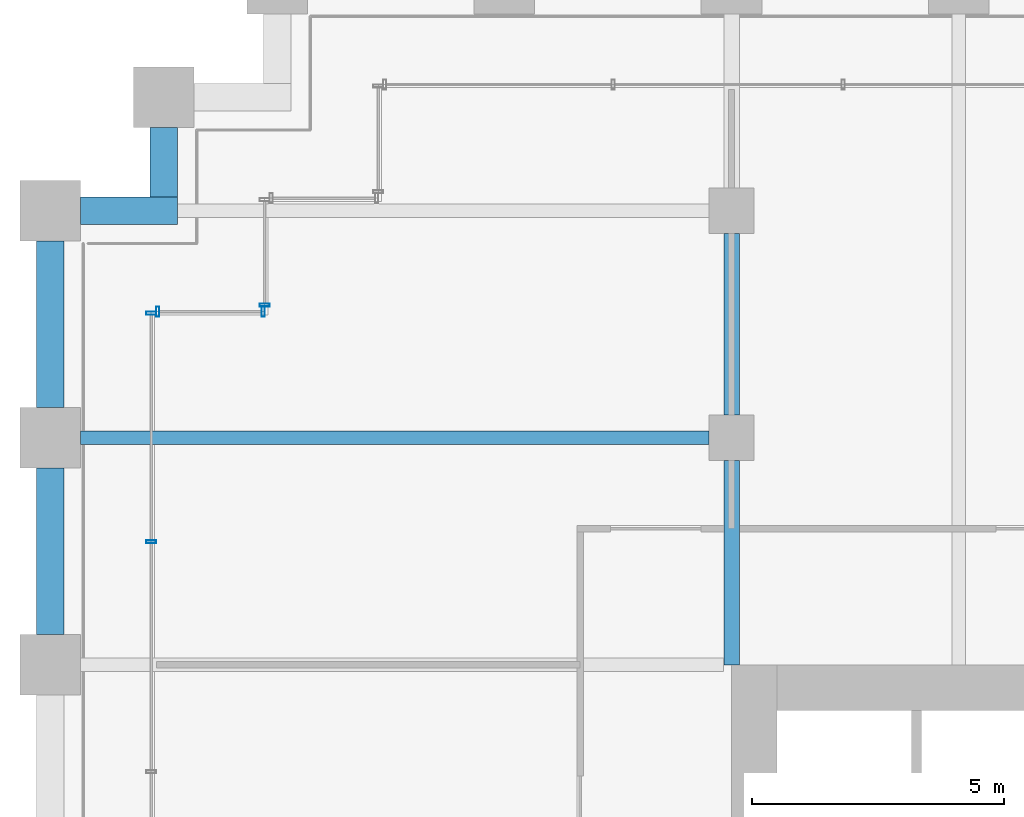
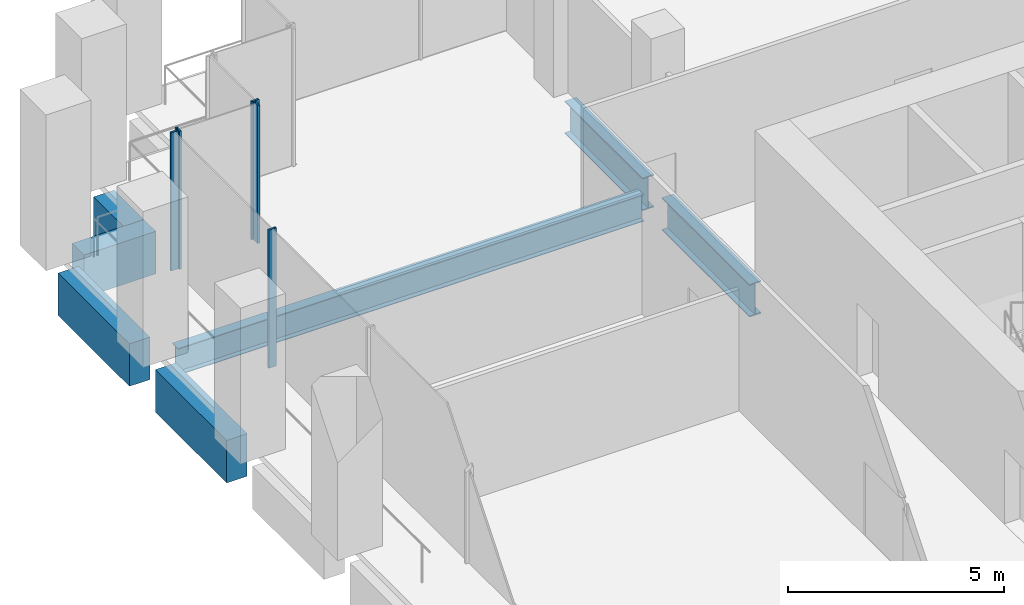
# One storey, part 13 of 36: 7 beams, 5 members, 3 elements without a shape of their own.
"""IFC4 building model written with IfcOpenShell, lengths in metres."""

from ifc_helpers import new_model, si_unit, direction, frame, origin, origin_2d, place, context, subcontext, project, spatial, rectangle, hollow_rectangle, i_section, extrude, material, material_profile, profile_set, type_object, element, aggregate, save


model = new_model("IFC4")

# Units and contexts
model_context = context("Model", 3, precision=1e-05, world=origin(), true_north=direction((0.0, 1.0)))
body_context = subcontext(model_context, "Body", "Model", "MODEL_VIEW")
ifc_project = project(units=[si_unit("LENGTHUNIT", "METRE"), si_unit("AREAUNIT", "SQUARE_METRE"), si_unit("VOLUMEUNIT", "CUBIC_METRE"), si_unit("PLANEANGLEUNIT", "RADIAN"), si_unit("MASSUNIT", "GRAM", prefix="KILO")], contexts=[model_context])

# Site, building, storey
site_placement = place(None, origin())
site = spatial("IfcSite", under=ifc_project, at=site_placement, CompositionType="ELEMENT")
building_placement = place(site_placement, origin())
building = spatial("IfcBuilding", under=site, at=building_placement, Name="Altepetl Exchange Towers", CompositionType="ELEMENT")
storey_placement = place(building_placement, frame((0.0, 0.0, 25.39990234375)))
storey = spatial("IfcBuildingStorey", under=building, at=storey_placement, Name="L05", CompositionType="ELEMENT", Elevation=25.39990234375)

# Beams
ifc_material_1 = material(Name="Steel S355", Category="steel")
ifc_material_profile_1 = material_profile(ifc_material_1, i_section(OverallWidth=0.26611328125, OverallDepth=0.758056640625, WebThickness=0.013916015625, FlangeThickness=0.019287109375, at=origin_2d()), Name="W30X108")
ifc_profile_set_1 = profile_set([ifc_material_profile_1], Name="Steel S355")
beam_type_1 = type_object("IfcBeamType", Name="Floor beam W30X108", PredefinedType="BEAM", material=ifc_profile_set_1)
beam_1_placement = place(storey_placement, frame((27.60009765625, 63.0, -0.553955078125), z_axis=(1.0, 0.0, 0.0), x_axis=(0.0, 1.0, 0.0)))
element("IfcBeam", 1, at=beam_1_placement, inside=storey, type_object=beam_type_1, Name="bm:A:L05:022", PredefinedType="BEAM", context=body_context, shape_type="SweptSolid", body=[
    extrude(i_section(OverallWidth=0.26611328125, OverallDepth=0.758056640625, WebThickness=0.013916015625, FlangeThickness=0.019287109375, at=origin_2d()), origin(), (0.0, 0.0, 1.0), 12.449951171875),
])
ifc_material_profile_2 = material_profile(ifc_material_1, i_section(OverallWidth=0.306884765625, OverallDepth=0.923095703125, WebThickness=0.018310546875, FlangeThickness=0.030029296875, at=origin_2d()), Name="W36X182")
ifc_profile_set_2 = profile_set([ifc_material_profile_2], Name="Steel S355")
beam_type_2 = type_object("IfcBeamType", Name="Girder W36X182", PredefinedType="BEAM", material=ifc_profile_set_2)
beam_2_placement = place(storey_placement, frame((40.5, 67.050048828125, -0.636474609375), z_axis=(0.0, -1.0, 0.0), x_axis=(1.0, 0.0, 0.0)))
element("IfcBeam", 2, at=beam_2_placement, inside=storey, type_object=beam_type_2, Name="gd:A:L05:004", PredefinedType="BEAM", context=body_context, shape_type="SweptSolid", body=[
    extrude(i_section(OverallWidth=0.306884765625, OverallDepth=0.923095703125, WebThickness=0.018310546875, FlangeThickness=0.030029296875, at=origin_2d()), origin(), (0.0, 0.0, 1.0), 3.60009765625),
])
beam_3_placement = place(storey_placement, frame((40.5, 62.550048828125, -0.636474609375), z_axis=(0.0, -1.0, 0.0), x_axis=(1.0, 0.0, 0.0)))
element("IfcBeam", 3, at=beam_3_placement, inside=storey, type_object=beam_type_2, Name="gd:A:L05:005", PredefinedType="BEAM", context=body_context, shape_type="SweptSolid", body=[
    extrude(i_section(OverallWidth=0.306884765625, OverallDepth=0.923095703125, WebThickness=0.018310546875, FlangeThickness=0.030029296875, at=origin_2d()), origin(), (0.0, 0.0, 1.0), 4.050048828125),
])

# Curtain wall, members
ifc_material_2 = material(Name="Aluminium 6063-T6 glazing", Category="aluminium")
curtain_wall_type = type_object("IfcCurtainWallType", Name="Trading floor glazing system", PredefinedType="NOTDEFINED", material=ifc_material_2)
curtain_wall_1_placement = place(storey_placement, origin())
curtain_wall_1 = element("IfcCurtainWall", 4, at=curtain_wall_1_placement, inside=storey, type_object=curtain_wall_type, Name="CW2 run", PredefinedType="NOTDEFINED")
ifc_material_3 = material(Name="Aluminium 6063-T6", Category="aluminium")
ifc_material_profile_3 = material_profile(ifc_material_3, hollow_rectangle(XDim=0.06005859375, YDim=0.199951171875, WallThickness=0.0029296875, at=origin_2d()), Name="Mullion 60x200 aluminium")
ifc_profile_set_3 = profile_set([ifc_material_profile_3], Name="Aluminium 6063-T6")
member_type = type_object("IfcMemberType", Name="Mullion 60x200 aluminium", PredefinedType="MULLION", material=ifc_profile_set_3)
member_1_placement = place(storey_placement, frame((31.219970703125, 65.5, 0.0), z_axis=(0.0, 0.0, 1.0), x_axis=(-1.0, 0.0, 0.0)))
member_1 = element("IfcMember", 5, at=member_1_placement, type_object=member_type, Name="MU2 mullion", PredefinedType="MULLION", context=body_context, shape_type="SweptSolid", body=[
    extrude(hollow_rectangle(XDim=0.06005859375, YDim=0.199951171875, WallThickness=0.0029296875, at=origin_2d()), origin(), (0.0, 0.0, 1.0), 3.900146484375),
])
member_2_placement = place(storey_placement, frame((29.1298828125, 65.5, 0.0), z_axis=(0.0, 0.0, 1.0), x_axis=(-1.0, 0.0, 0.0)))
member_2 = element("IfcMember", 6, at=member_2_placement, type_object=member_type, Name="MU2 mullion", PredefinedType="MULLION", context=body_context, shape_type="SweptSolid", body=[
    extrude(hollow_rectangle(XDim=0.06005859375, YDim=0.199951171875, WallThickness=0.0029296875, at=origin_2d()), origin(), (0.0, 0.0, 1.0), 3.900146484375),
])
aggregate(curtain_wall_1, [member_1, member_2])

curtain_wall_2_placement = place(storey_placement, origin())
curtain_wall_2 = element("IfcCurtainWall", 7, at=curtain_wall_2_placement, inside=storey, type_object=curtain_wall_type, Name="CW2 run", PredefinedType="NOTDEFINED")
member_3_placement = place(storey_placement, frame((29.0, 65.469970703125, 0.0), z_axis=(0.0, 0.0, 1.0), x_axis=(0.0, -1.0, 0.0)))
member_3 = element("IfcMember", 8, at=member_3_placement, type_object=member_type, Name="MU2 mullion", PredefinedType="MULLION", context=body_context, shape_type="SweptSolid", body=[
    extrude(hollow_rectangle(XDim=0.06005859375, YDim=0.199951171875, WallThickness=0.0029296875, at=origin_2d()), origin(), (0.0, 0.0, 1.0), 3.900146484375),
])
member_4_placement = place(storey_placement, frame((29.0, 60.94287109375, 0.0), z_axis=(0.0, 0.0, 1.0), x_axis=(0.0, -1.0, 0.0)))
member_4 = element("IfcMember", 9, at=member_4_placement, type_object=member_type, Name="MU2 mullion", PredefinedType="MULLION", context=body_context, shape_type="SweptSolid", body=[
    extrude(hollow_rectangle(XDim=0.06005859375, YDim=0.199951171875, WallThickness=0.0029296875, at=origin_2d()), origin(), (0.0, 0.0, 1.0), 3.900146484375),
])
aggregate(curtain_wall_2, [member_3, member_4])

# Curtain wall, member
curtain_wall_3_placement = place(storey_placement, origin())
curtain_wall_3 = element("IfcCurtainWall", 10, at=curtain_wall_3_placement, inside=storey, type_object=curtain_wall_type, Name="CW2 run", PredefinedType="NOTDEFINED")
member_5_placement = place(storey_placement, frame((31.25, 65.6298828125, 0.0), z_axis=(0.0, 0.0, 1.0), x_axis=(0.0, -1.0, 0.0)))
member_5 = element("IfcMember", 11, at=member_5_placement, type_object=member_type, Name="MU2 mullion", PredefinedType="MULLION", context=body_context, shape_type="SweptSolid", body=[
    extrude(hollow_rectangle(XDim=0.06005859375, YDim=0.199951171875, WallThickness=0.0029296875, at=origin_2d()), origin(), (0.0, 0.0, 1.0), 3.900146484375),
])
aggregate(curtain_wall_3, [member_5])

# Beams
ifc_material_4 = material(Name="Concrete C50/60 precast with tezontle facing", Category="concrete")
ifc_material_profile_4 = material_profile(ifc_material_4, rectangle(XDim=0.550048828125, YDim=1.199951171875, at=origin_2d()), Name="550 x 1200")
ifc_profile_set_4 = profile_set([ifc_material_profile_4], Name="Concrete C50/60 precast with tezontle facing")
beam_type_3 = type_object("IfcBeamType", Name="Spandrel beam 550x1200 tezontle", PredefinedType="SPANDREL", material=ifc_profile_set_4)
beam_4_placement = place(storey_placement, frame((29.25, 69.14990234375, -0.77490234375), z_axis=(0.0, -1.0, 0.0), x_axis=(1.0, 0.0, 0.0)))
element("IfcBeam", 12, at=beam_4_placement, inside=storey, type_object=beam_type_3, Name="sp:A:L05:034", PredefinedType="SPANDREL", context=body_context, shape_type="SweptSolid", body=[
    extrude(rectangle(XDim=0.550048828125, YDim=1.199951171875, at=origin_2d()), origin(), (0.0, 0.0, 1.0), 1.375),
])
beam_5_placement = place(storey_placement, frame((29.52490234375, 67.5, -0.77490234375), z_axis=(-1.0, 0.0, 0.0), x_axis=(0.0, -1.0, 0.0)))
element("IfcBeam", 13, at=beam_5_placement, inside=storey, type_object=beam_type_3, Name="sp:A:L05:035", PredefinedType="SPANDREL", context=body_context, shape_type="SweptSolid", body=[
    extrude(rectangle(XDim=0.550048828125, YDim=1.199951171875, at=origin_2d()), origin(), (0.0, 0.0, 1.0), 1.9248046875),
])
for number, where, z_axis, x_axis, name in (
    (14, (27.0, 66.89990234375, -0.77490234375), (0.0, -1.0, 0.0), (1.0, 0.0, 0.0), "sp:A:L05:036"),
    (15, (27.0, 62.39990234375, -0.77490234375), (0.0, -1.0, 0.0), (1.0, 0.0, 0.0), "sp:A:L05:037"),
):
    element("IfcBeam", number, at=place(storey_placement, frame(where, z_axis=z_axis, x_axis=x_axis)), inside=storey, type_object=beam_type_3, Name=name, PredefinedType="SPANDREL", context=body_context, shape_type="SweptSolid", body=[
        extrude(rectangle(XDim=0.550048828125, YDim=1.199951171875, at=origin_2d()), origin(), (0.0, 0.0, 1.0), 3.2998046875),
    ])

save(model, "model.ifc")
